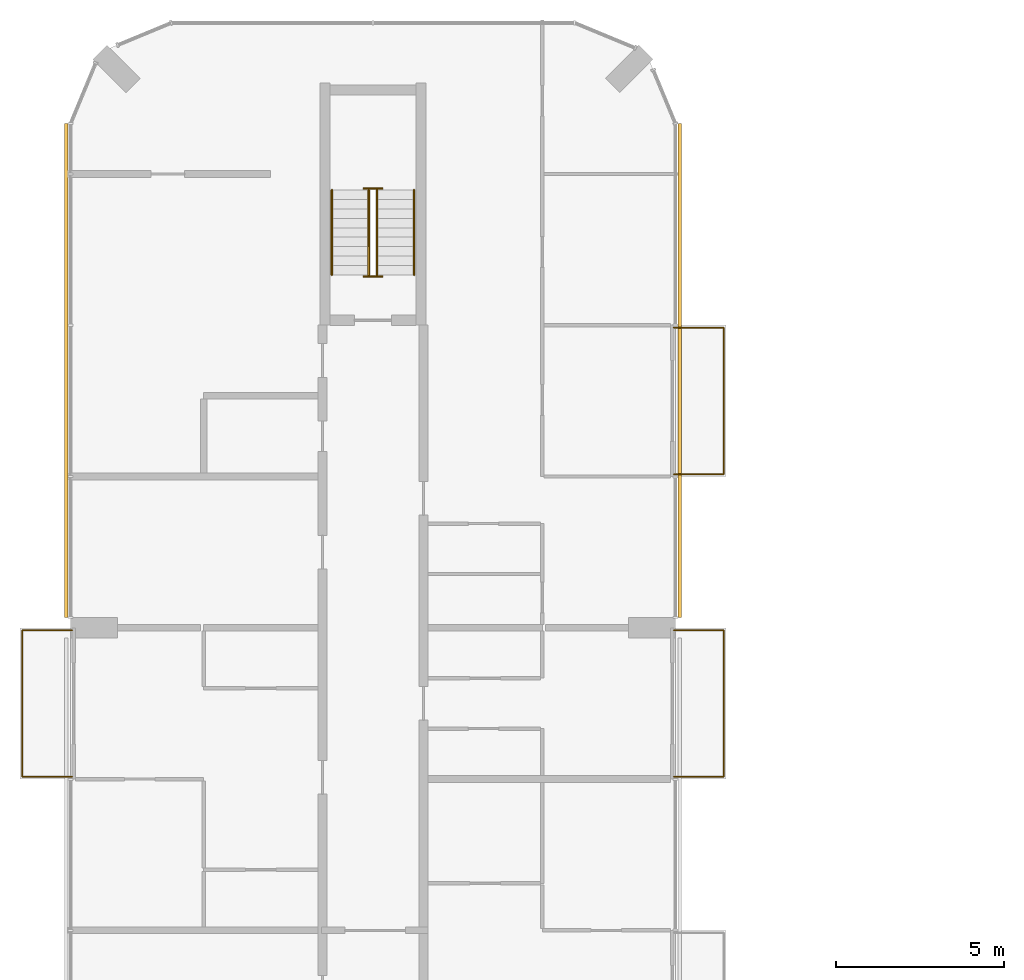
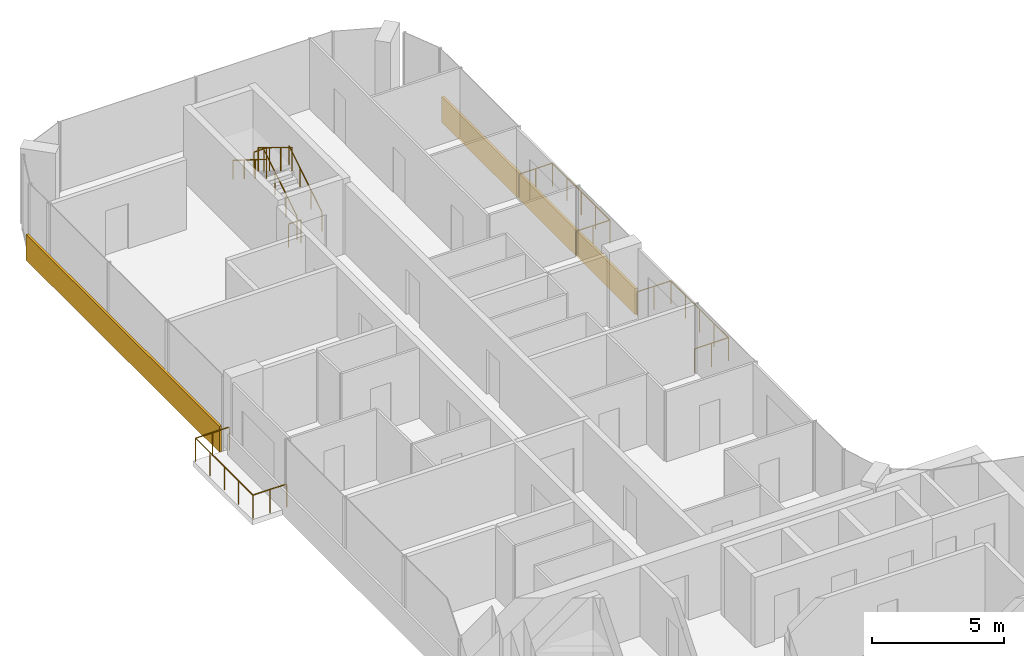
# One storey, part 15 of 15: 9 railings, 2 coverings.
"""IFC4 building model written with IfcOpenShell, lengths in metres."""

import ifcopenshell
import ifcopenshell.guid

model = None  # the IFC model being written
_history = None  # IfcOwnerHistory: only IFC2X3 demands one
_inside = {}  # id of a spatial element -> (the spatial element, [elements in it])
_under = {}  # id of a project, library or spatial element -> (it, [spatial elements below it])
_declared = {}  # id of a project -> (the project, [libraries it declares])
_typed = {}  # id of a type object -> (the type object, [elements of that type])
_made_of = {}  # id of a material, layer set ... -> (it, [elements and type objects made of it])


def new_model(schema):
    """Start an empty IFC model of exactly this schema.

    Asked for "IFC4X3", IfcOpenShell would pick the latest addendum, in which some entities
    have other attributes; the version numbers below select the first issue.
    IFC2X3 requires an IfcOwnerHistory on every rooted entity: one is made here for all.
    """
    global model, _history
    if schema == "IFC4X3":
        model = ifcopenshell.file(schema_version=(4, 3, 0, 0))
    else:
        model = ifcopenshell.file(schema=schema)
    _inside.clear()
    _under.clear()
    _declared.clear()
    _typed.clear()
    _made_of.clear()
    _history = None
    if model.schema == "IFC2X3":
        org = make("IfcOrganization", Name="unknown")
        user = make(
            "IfcPersonAndOrganization",
            ThePerson=make("IfcPerson", FamilyName="unknown"),
            TheOrganization=org,
        )
        app = make(
            "IfcApplication",
            ApplicationDeveloper=org,
            Version="unknown",
            ApplicationFullName="unknown",
            ApplicationIdentifier="unknown",
        )
        _history = make(
            "IfcOwnerHistory",
            OwningUser=user,
            OwningApplication=app,
            ChangeAction="ADDED",
            CreationDate=0,
        )
    return model


def make(cls, **values):
    """One entity of the class cls with the attributes given. An attribute that is None is left unset."""
    return model.create_entity(
        cls, **{name: value for name, value in values.items() if value is not None}
    )


def rooted(cls, **values):
    """An entity with a GlobalId (a new one), such as an element, a storey or a relation."""
    return make(cls, GlobalId=ifcopenshell.guid.new(), OwnerHistory=_history, **values)


def si_unit(unit_type, name, prefix=None):
    """IfcSIUnit, for example si_unit("LENGTHUNIT", "METRE", prefix="MILLI")."""
    return make("IfcSIUnit", UnitType=unit_type, Prefix=prefix, Name=name)


def assignment(units):
    """IfcUnitAssignment: the units of a project."""
    return None if units is None else make("IfcUnitAssignment", Units=units)


def point(xyz):
    """IfcCartesianPoint."""
    return None if xyz is None else make("IfcCartesianPoint", Coordinates=xyz)


def direction(xyz):
    """IfcDirection."""
    return None if xyz is None else make("IfcDirection", DirectionRatios=xyz)


def frame(location, z_axis=None, x_axis=None):
    """IfcAxis2Placement3D, a coordinate frame: its origin and axes. An axis left out is left unset."""
    return make(
        "IfcAxis2Placement3D",
        Location=point(location),
        Axis=direction(z_axis),
        RefDirection=direction(x_axis),
    )


def frame_2d(location, x_axis=None):
    """IfcAxis2Placement2D, a coordinate frame in the plane: its origin and x axis."""
    return make(
        "IfcAxis2Placement2D", Location=point(location), RefDirection=direction(x_axis)
    )


def origin():
    """The frame at (0, 0, 0) with its axes left unset."""
    return frame((0.0, 0.0, 0.0))


def origin_2d():
    """The frame at (0, 0) in the plane with its x axis left unset."""
    return frame_2d((0.0, 0.0))


def place(relative_to, where):
    """IfcLocalPlacement: puts the frame where relative to a parent placement (None: the world)."""
    return make(
        "IfcLocalPlacement", PlacementRelTo=relative_to, RelativePlacement=where
    )


def context(
    kind, dimensions, precision=None, world=None, true_north=None, identifier=None
):
    """IfcGeometricRepresentationContext, for example the 3D "Model" context."""
    return make(
        "IfcGeometricRepresentationContext",
        ContextIdentifier=identifier,
        ContextType=kind,
        CoordinateSpaceDimension=dimensions,
        Precision=precision,
        WorldCoordinateSystem=world,
        TrueNorth=true_north,
    )


def subcontext(parent, identifier, kind, view, scale=None):
    """IfcGeometricRepresentationSubContext, for example "Body" below "Model"."""
    return make(
        "IfcGeometricRepresentationSubContext",
        ContextIdentifier=identifier,
        ContextType=kind,
        ParentContext=parent,
        TargetScale=scale,
        TargetView=view,
    )


def project(units=None, contexts=None):
    """IfcProject with its units and contexts."""
    return rooted(
        "IfcProject",
        Name="project",
        RepresentationContexts=contexts,
        UnitsInContext=assignment(units),
    )


def spatial(cls, under=None, at=None, **own):
    """A site, building, storey or space (cls), placed at a placement, below another one or the project."""
    s = rooted(cls, ObjectPlacement=at, **own)
    if under is not None:
        _under.setdefault(under.id(), (under, []))[1].append(s)
    return s


def profile(cls, at=None, kind="AREA", **sizes):
    """A parametric profile (cls). Its sizes go by their IFC names, for example OverallWidth=200.0."""
    return make(cls, ProfileType=kind, Position=at, **sizes)


def rectangle(**sizes):
    """IfcRectangleProfileDef."""
    return profile("IfcRectangleProfileDef", **sizes)


def circle(**sizes):
    """IfcCircleProfileDef."""
    return profile("IfcCircleProfileDef", **sizes)


def extrude(swept, where, along, depth):
    """IfcExtrudedAreaSolid: the profile swept, set in the frame where, extruded along a direction by depth."""
    return make(
        "IfcExtrudedAreaSolid",
        SweptArea=swept,
        Position=where,
        ExtrudedDirection=direction(along),
        Depth=depth,
    )


def shape(context_of_items, identifier, shape_type, items):
    """IfcShapeRepresentation: the items that make up one representation, for example the "Body"."""
    return make(
        "IfcShapeRepresentation",
        ContextOfItems=context_of_items,
        RepresentationIdentifier=identifier,
        RepresentationType=shape_type,
        Items=items,
    )


def material(Name=None, Category=None):
    """IfcMaterial."""
    return make("IfcMaterial", Name=Name, Category=Category)


def layer(
    of_material, thickness, ventilated=None, Name=None, Category=None, Priority=None
):
    """IfcMaterialLayer: one layer of a wall or slab, of a material (None: an air gap)."""
    return make(
        "IfcMaterialLayer",
        Material=of_material,
        LayerThickness=thickness,
        IsVentilated=ventilated,
        Name=Name,
        Category=Category,
        Priority=Priority,
    )


def layer_set(layers, Name=None):
    """IfcMaterialLayerSet."""
    return make("IfcMaterialLayerSet", MaterialLayers=layers, LayerSetName=Name)


def made_of(thing, what):
    """Note that an element or type object is made of a material, layer set ...; save() writes the relation."""
    if what is not None:
        _made_of.setdefault(what.id(), (what, []))[1].append(thing)
    return thing


def type_object(cls, material=None, **own):
    """A type object (cls), such as IfcWallType, which elements share."""
    return made_of(rooted(cls, **own), material)


def element(
    cls,
    number,
    at=None,
    inside=None,
    cuts=None,
    type_object=None,
    material=None,
    context=None,
    identifier="Body",
    shape_type=None,
    held_by="IfcProductDefinitionShape",
    body=None,
    shapes=None,
    **own,
):
    """One element of the class cls, such as IfcWall. Its Tag is "e" and its number.

    at: its placement. inside: the storey or other place that contains it. cuts: it is an
    opening in that element (IfcRelVoidsElement). A single representation is given by context,
    identifier, shape_type and body (its items); several are given by shapes. held_by: the class
    of the entity that holds the representations. save() writes the other relations.
    """
    e = rooted(cls, Tag="e%d" % number, ObjectPlacement=at, **own)
    if body is not None:
        shapes = [shape(context, identifier, shape_type, body)]
    if shapes is not None:
        e.Representation = make(held_by, Representations=shapes)
    if inside is not None:
        _inside.setdefault(inside.id(), (inside, []))[1].append(e)
    if cuts is not None:
        rooted(
            "IfcRelVoidsElement", RelatingBuildingElement=cuts, RelatedOpeningElement=e
        )
    if type_object is not None:
        _typed.setdefault(type_object.id(), (type_object, []))[1].append(e)
    return made_of(e, material)


def aggregate(whole, parts):
    """IfcRelAggregates: a whole, such as a stair, and the parts it consists of."""
    return rooted("IfcRelAggregates", RelatingObject=whole, RelatedObjects=parts)


def save(model, path):
    """Write the relations noted so far, then the file.

    IfcRelAggregates (storeys below a building ...), IfcRelContainedInSpatialStructure (elements
    in a storey), IfcRelDefinesByType, IfcRelAssociatesMaterial and IfcRelDeclares: one each for
    every whole, place, type object, material and project.
    """
    for whole, parts in _under.values():
        aggregate(whole, parts)
    for where, things in _inside.values():
        rooted(
            "IfcRelContainedInSpatialStructure",
            RelatedElements=things,
            RelatingStructure=where,
        )
    for kind, things in _typed.values():
        rooted("IfcRelDefinesByType", RelatedObjects=things, RelatingType=kind)
    for what, things in _made_of.values():
        rooted("IfcRelAssociatesMaterial", RelatedObjects=things, RelatingMaterial=what)
    for by, libraries in _declared.values():
        rooted("IfcRelDeclares", RelatingContext=by, RelatedDefinitions=libraries)
    model.write(path)


model = new_model("IFC4")

# Units and contexts
model_context = context("Model", 3, precision=1e-05, world=origin(), true_north=direction((0.0, 1.0)))
body_context = subcontext(model_context, "Body", "Model", "MODEL_VIEW")
ifc_project = project(units=[si_unit("LENGTHUNIT", "METRE"), si_unit("AREAUNIT", "SQUARE_METRE"), si_unit("VOLUMEUNIT", "CUBIC_METRE"), si_unit("PLANEANGLEUNIT", "RADIAN"), si_unit("MASSUNIT", "GRAM", prefix="KILO")], contexts=[model_context])

# Site, building, storey
site_placement = place(None, origin())
site = spatial("IfcSite", under=ifc_project, at=site_placement, CompositionType="ELEMENT")
building_placement = place(site_placement, origin())
building = spatial("IfcBuilding", under=site, at=building_placement, Name="Plateau Cross Towers", CompositionType="ELEMENT")
storey_placement = place(building_placement, frame((0.0, 0.0, 204.89990234375)))
storey = spatial("IfcBuildingStorey", under=building, at=storey_placement, Name="L53", CompositionType="ELEMENT", Elevation=204.89990234375)

# Railings
ifc_material_1 = material(Name="Stainless steel and toughened glass", Category="steel")
railing_type_1 = type_object("IfcRailingType", Name="Glass balustrade guard 1100", PredefinedType="GUARDRAIL", material=ifc_material_1)
railing_1_placement = place(storey_placement, frame((0.050048828125, 31.570068359375, 0.0)))
element("IfcRailing", 1, at=railing_1_placement, inside=storey, type_object=railing_type_1, Name="Guard guard1", PredefinedType="GUARDRAIL", context=body_context, shape_type="SweptSolid", body=[
    extrude(circle(Radius=0.02392578125, at=origin_2d()), frame((0.0, 0.0, 1.076171875), z_axis=(-1.0, 0.0, 0.0), x_axis=(0.0, -1.0, 0.0)), (0.0, 0.0, 1.0), 1.47998046875),
    extrude(circle(Radius=0.02392578125, at=origin_2d()), frame((-1.47998046875, 0.0, 1.076171875), z_axis=(0.0, 1.0, 0.0), x_axis=(-1.0, 0.0, 0.0)), (0.0, 0.0, 1.0), 4.35986328125),
    extrude(circle(Radius=0.02392578125, at=origin_2d()), frame((-1.47998046875, 4.35986328125, 1.076171875), z_axis=(1.0, 0.0, 0.0), x_axis=(0.0, 1.0, 0.0)), (0.0, 0.0, 1.0), 1.47998046875),
    extrude(circle(Radius=0.02099609375, at=origin_2d()), origin(), (0.0, 0.0, 1.0), 1.052001953125),
    extrude(circle(Radius=0.02099609375, at=origin_2d()), frame((-0.739990234375, 0.0, 0.0)), (0.0, 0.0, 1.0), 1.052001953125),
    extrude(circle(Radius=0.02099609375, at=origin_2d()), frame((-1.47998046875, 0.0, 0.0)), (0.0, 0.0, 1.0), 1.052001953125),
    extrude(circle(Radius=0.02099609375, at=origin_2d()), frame((-1.47998046875, 1.08984375, 0.0)), (0.0, 0.0, 1.0), 1.052001953125),
    extrude(circle(Radius=0.02099609375, at=origin_2d()), frame((-1.47998046875, 2.179931640625, 0.0)), (0.0, 0.0, 1.0), 1.052001953125),
    extrude(circle(Radius=0.02099609375, at=origin_2d()), frame((-1.47998046875, 3.27001953125, 0.0)), (0.0, 0.0, 1.0), 1.052001953125),
    extrude(circle(Radius=0.02099609375, at=origin_2d()), frame((-1.47998046875, 4.35986328125, 0.0)), (0.0, 0.0, 1.0), 1.052001953125),
    extrude(circle(Radius=0.02099609375, at=origin_2d()), frame((-0.739990234375, 4.35986328125, 0.0)), (0.0, 0.0, 1.0), 1.052001953125),
    extrude(circle(Radius=0.02099609375, at=origin_2d()), frame((0.0, 4.35986328125, 0.0)), (0.0, 0.0, 1.0), 1.052001953125),
])
for number, where, name in (
    (2, (17.949951171875, 35.929931640625, 0.0), "Guard guard1"),
    (3, (17.949951171875, 44.929931640625, 0.0), "Guard guard1"),
):
    element("IfcRailing", number, at=place(storey_placement, frame(where)), inside=storey, type_object=railing_type_1, Name=name, PredefinedType="GUARDRAIL", context=body_context, shape_type="SweptSolid", body=[
        extrude(circle(Radius=0.02392578125, at=origin_2d()), frame((0.0, 0.0, 1.076171875), z_axis=(1.0, 0.0, 0.0), x_axis=(0.0, 1.0, 0.0)), (0.0, 0.0, 1.0), 1.47998046875),
        extrude(circle(Radius=0.02392578125, at=origin_2d()), frame((1.47998046875, 0.0, 1.076171875), z_axis=(0.0, -1.0, 0.0), x_axis=(1.0, 0.0, 0.0)), (0.0, 0.0, 1.0), 4.35986328125),
        extrude(circle(Radius=0.02392578125, at=origin_2d()), frame((1.47998046875, -4.35986328125, 1.076171875), z_axis=(-1.0, 0.0, 0.0), x_axis=(0.0, -1.0, 0.0)), (0.0, 0.0, 1.0), 1.47998046875),
        extrude(circle(Radius=0.02099609375, at=origin_2d()), origin(), (0.0, 0.0, 1.0), 1.052001953125),
        extrude(circle(Radius=0.02099609375, at=origin_2d()), frame((0.739990234375, 0.0, 0.0)), (0.0, 0.0, 1.0), 1.052001953125),
        extrude(circle(Radius=0.02099609375, at=origin_2d()), frame((1.47998046875, 0.0, 0.0)), (0.0, 0.0, 1.0), 1.052001953125),
        extrude(circle(Radius=0.02099609375, at=origin_2d()), frame((1.47998046875, -1.08984375, 0.0)), (0.0, 0.0, 1.0), 1.052001953125),
        extrude(circle(Radius=0.02099609375, at=origin_2d()), frame((1.47998046875, -2.179931640625, 0.0)), (0.0, 0.0, 1.0), 1.052001953125),
        extrude(circle(Radius=0.02099609375, at=origin_2d()), frame((1.47998046875, -3.27001953125, 0.0)), (0.0, 0.0, 1.0), 1.052001953125),
        extrude(circle(Radius=0.02099609375, at=origin_2d()), frame((1.47998046875, -4.35986328125, 0.0)), (0.0, 0.0, 1.0), 1.052001953125),
        extrude(circle(Radius=0.02099609375, at=origin_2d()), frame((0.739990234375, -4.35986328125, 0.0)), (0.0, 0.0, 1.0), 1.052001953125),
        extrude(circle(Radius=0.02099609375, at=origin_2d()), frame((0.0, -4.35986328125, 0.0)), (0.0, 0.0, 1.0), 1.052001953125),
    ])
railing_type_2 = type_object("IfcRailingType", Name="RL-GUARD-1100", PredefinedType="GUARDRAIL", material=ifc_material_1)
railing_2_placement = place(storey_placement, frame((9.125, 46.5, 0.175048828125)))
element("IfcRailing", 4, at=railing_2_placement, inside=storey, type_object=railing_type_2, Name="L53 ES-N stair guard 1", PredefinedType="GUARDRAIL", context=body_context, shape_type="SweptSolid", body=[
    extrude(circle(Radius=0.02392578125, at=origin_2d()), frame((0.0, 0.0, 1.076171875), z_axis=(0.0, 0.848007534815, 0.529984170421), x_axis=(-1.0, 0.0, 0.0)), (0.0, 0.0, 1.0), 2.9716796875),
    extrude(circle(Radius=0.02099609375, at=origin_2d()), origin(), (0.0, 0.0, 1.0), 1.052001953125),
    extrude(circle(Radius=0.02099609375, at=origin_2d()), frame((0.0, 0.840087890625, 0.52490234375)), (0.0, 0.0, 1.0), 1.052001953125),
    extrude(circle(Radius=0.02099609375, at=origin_2d()), frame((0.0, 1.679931640625, 1.050048828125)), (0.0, 0.0, 1.0), 1.052001953125),
    extrude(circle(Radius=0.02099609375, at=origin_2d()), frame((0.0, 2.52001953125, 1.574951171875)), (0.0, 0.0, 1.0), 1.052001953125),
])
railing_3_placement = place(storey_placement, frame((9.27490234375, 49.070068359375, 1.75)))
element("IfcRailing", 5, at=railing_3_placement, inside=storey, type_object=railing_type_2, Name="L53 ES-N stair guard 2", PredefinedType="GUARDRAIL", context=body_context, shape_type="SweptSolid", body=[
    extrude(circle(Radius=0.02392578125, at=origin_2d()), frame((0.0, 0.0, 1.076171875), z_axis=(-1.0, 0.0, 0.0), x_axis=(0.0, -1.0, 0.0)), (0.0, 0.0, 1.0), 0.5498046875),
    extrude(circle(Radius=0.02099609375, at=origin_2d()), origin(), (0.0, 0.0, 1.0), 1.052001953125),
    extrude(circle(Radius=0.02099609375, at=origin_2d()), frame((-0.5498046875, 0.0, 0.0)), (0.0, 0.0, 1.0), 1.052001953125),
])
railing_4_placement = place(storey_placement, frame((8.875, 49.02001953125, 1.925048828125)))
element("IfcRailing", 6, at=railing_4_placement, inside=storey, type_object=railing_type_2, Name="L53 ES-N stair guard 3", PredefinedType="GUARDRAIL", context=body_context, shape_type="SweptSolid", body=[
    extrude(circle(Radius=0.02392578125, at=origin_2d()), frame((0.0, 0.0, 1.076171875), z_axis=(0.0, -0.852638500773, 0.522501279423), x_axis=(1.0, 0.0, 0.0)), (0.0, 0.0, 1.0), 3.01416015625),
    extrude(circle(Radius=0.02099609375, at=origin_2d()), origin(), (0.0, 0.0, 1.0), 1.052001953125),
    extrude(circle(Radius=0.02099609375, at=origin_2d()), frame((0.0, -0.856689453125, 0.52490234375)), (0.0, 0.0, 1.0), 1.052001953125),
    extrude(circle(Radius=0.02099609375, at=origin_2d()), frame((0.0, -1.71337890625, 1.050048828125)), (0.0, 0.0, 1.0), 1.052001953125),
    extrude(circle(Radius=0.02099609375, at=origin_2d()), frame((0.0, -2.570068359375, 1.574951171875)), (0.0, 0.0, 1.0), 1.052001953125),
])
railing_5_placement = place(storey_placement, frame((9.27490234375, 46.449951171875, 0.0)))
element("IfcRailing", 7, at=railing_5_placement, inside=storey, type_object=railing_type_2, Name="L53 ES-N stair guard 4", PredefinedType="GUARDRAIL", context=body_context, shape_type="SweptSolid", body=[
    extrude(circle(Radius=0.02392578125, at=origin_2d()), frame((0.0, 0.0, 1.076171875), z_axis=(-1.0, 0.0, 0.0), x_axis=(0.0, -1.0, 0.0)), (0.0, 0.0, 1.0), 0.5498046875),
    extrude(circle(Radius=0.02099609375, at=origin_2d()), origin(), (0.0, 0.0, 1.0), 1.052001953125),
    extrude(circle(Radius=0.02099609375, at=origin_2d()), frame((-0.5498046875, 0.0, 0.0)), (0.0, 0.0, 1.0), 1.052001953125),
])
ifc_material_2 = material(Name="Black anodised aluminium", Category="aluminium")
railing_type_3 = type_object("IfcRailingType", Name="RL-HANDRAIL-900", PredefinedType="HANDRAIL", material=ifc_material_2)
railing_6_placement = place(storey_placement, frame((10.22509765625, 46.5, 0.175048828125)))
element("IfcRailing", 8, at=railing_6_placement, inside=storey, type_object=railing_type_3, Name="L53 ES-N stair handrail 1", PredefinedType="HANDRAIL", context=body_context, shape_type="SweptSolid", body=[
    extrude(circle(Radius=0.02392578125, at=origin_2d()), frame((0.0, 0.0, 0.8759765625), z_axis=(0.0, 0.848007534815, 0.529984170421), x_axis=(-1.0, 0.0, 0.0)), (0.0, 0.0, 1.0), 2.9716796875),
    extrude(circle(Radius=0.02099609375, at=origin_2d()), origin(), (0.0, 0.0, 1.0), 0.851806640625),
    extrude(circle(Radius=0.02099609375, at=origin_2d()), frame((0.0, 0.840087890625, 0.52490234375)), (0.0, 0.0, 1.0), 0.851806640625),
    extrude(circle(Radius=0.02099609375, at=origin_2d()), frame((0.0, 1.679931640625, 1.050048828125)), (0.0, 0.0, 1.0), 0.851806640625),
    extrude(circle(Radius=0.02099609375, at=origin_2d()), frame((0.0, 2.52001953125, 1.574951171875)), (0.0, 0.0, 1.0), 0.851806640625),
])
railing_7_placement = place(storey_placement, frame((7.77490234375, 49.02001953125, 1.925048828125)))
element("IfcRailing", 9, at=railing_7_placement, inside=storey, type_object=railing_type_3, Name="L53 ES-N stair handrail 2", PredefinedType="HANDRAIL", context=body_context, shape_type="SweptSolid", body=[
    extrude(circle(Radius=0.02392578125, at=origin_2d()), frame((0.0, 0.0, 0.8759765625), z_axis=(0.0, -0.848007534815, 0.529984170421), x_axis=(1.0, 0.0, 0.0)), (0.0, 0.0, 1.0), 2.9716796875),
    extrude(circle(Radius=0.02099609375, at=origin_2d()), origin(), (0.0, 0.0, 1.0), 0.851806640625),
    extrude(circle(Radius=0.02099609375, at=origin_2d()), frame((0.0, -0.840087890625, 0.52490234375)), (0.0, 0.0, 1.0), 0.851806640625),
    extrude(circle(Radius=0.02099609375, at=origin_2d()), frame((0.0, -1.679931640625, 1.050048828125)), (0.0, 0.0, 1.0), 0.851806640625),
    extrude(circle(Radius=0.02099609375, at=origin_2d()), frame((0.0, -2.52001953125, 1.574951171875)), (0.0, 0.0, 1.0), 0.851806640625),
])

# Coverings
ifc_material_3 = material(Name="Precast concrete cladding C40/50", Category="concrete")
ifc_layer = layer(ifc_material_3, 0.10009765625)
ifc_layer_set = layer_set([ifc_layer], Name="Precast concrete cladding C40/50")
covering_type = type_object("IfcCoveringType", Name="Spandrel band cladding 100x1200", PredefinedType="CLADDING", material=ifc_layer_set)
for number, where, z_axis, x_axis, name in (
    (10, (18.1201171875, 43.64990234375, -0.25), (0.0, 0.0, 1.0), (0.0, 1.0, 0.0), "Spandrel band"),
    (11, (-0.1201171875, 43.64990234375, -0.25), (0.0, 0.0, 1.0), (0.0, -1.0, 0.0), "Spandrel band"),
):
    element("IfcCovering", number, at=place(storey_placement, frame(where, z_axis=z_axis, x_axis=x_axis)), inside=storey, type_object=covering_type, Name=name, PredefinedType="CLADDING", context=body_context, shape_type="SweptSolid", body=[
        extrude(rectangle(XDim=14.699951171875, YDim=0.10009765625, at=origin_2d()), origin(), (0.0, 0.0, 1.0), 1.199951171875),
    ])

save(model, "model.ifc")
